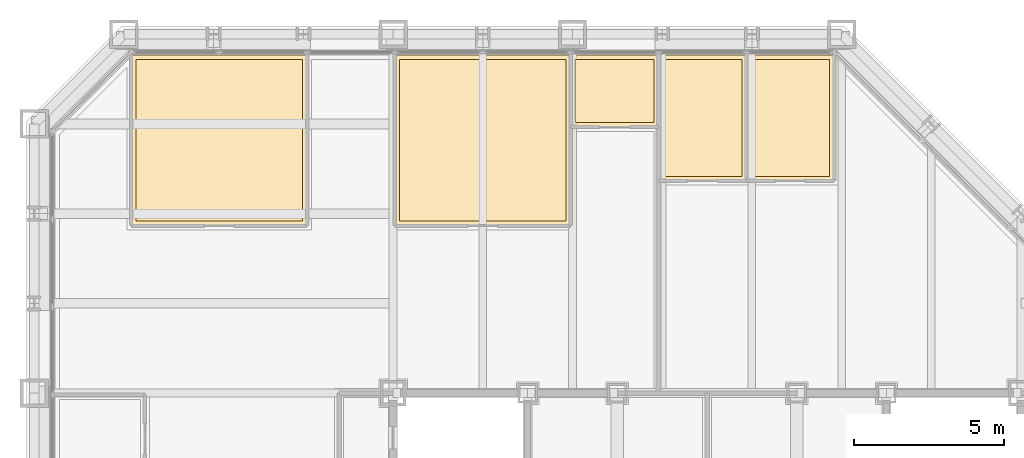
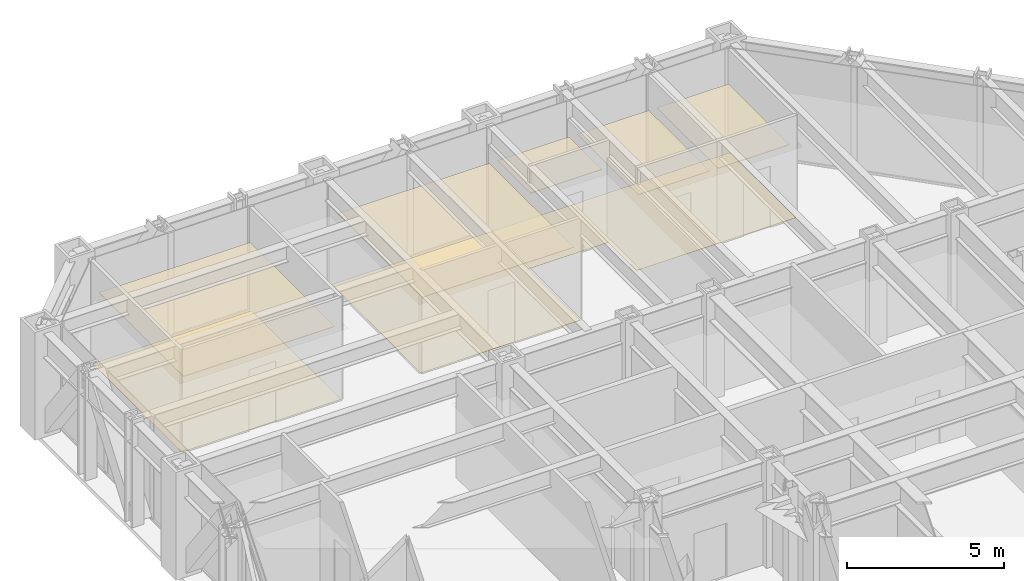
# One storey, part 16 of 16: 10 coverings.
"""IFC4 building model written with IfcOpenShell, lengths in metres."""

from ifc_helpers import new_model, si_unit, direction, frame, origin, place, context, subcontext, project, spatial, polyline, outline, extrude, material, layer, layer_set, type_object, element, save


model = new_model("IFC4")

# Units and contexts
model_context = context("Model", 3, precision=1e-05, world=origin(), true_north=direction((0.0, 1.0)))
body_context = subcontext(model_context, "Body", "Model", "MODEL_VIEW")
ifc_project = project(units=[si_unit("LENGTHUNIT", "METRE"), si_unit("AREAUNIT", "SQUARE_METRE"), si_unit("VOLUMEUNIT", "CUBIC_METRE"), si_unit("PLANEANGLEUNIT", "RADIAN"), si_unit("MASSUNIT", "GRAM", prefix="KILO")], contexts=[model_context])

# Site, building, storey
site_placement = place(None, origin())
site = spatial("IfcSite", under=ifc_project, at=site_placement, CompositionType="ELEMENT")
building_placement = place(site_placement, origin())
building = spatial("IfcBuilding", under=site, at=building_placement, Name="Chuquiago Exchange Tower", CompositionType="ELEMENT")
storey_placement = place(building_placement, frame((0.0, 0.0, 157.199951171875)))
storey = spatial("IfcBuildingStorey", under=building, at=storey_placement, Name="L34", CompositionType="ELEMENT", Elevation=157.199951171875)

# Coverings
ifc_material_1 = material(Name="Mineral fibre tile, 600 x 600, on pale metal grid", Category="mineral fibre")
ifc_layer_1 = layer(ifc_material_1, 0.02001953125)
ifc_layer_set_1 = layer_set([ifc_layer_1], Name="CL1 suspended tile ceiling 20")
covering_type_1 = type_object("IfcCoveringType", Name="CL1 suspended tile ceiling 20", PredefinedType="CEILING", material=ifc_layer_set_1)
covering_1_placement = place(storey_placement, frame((0.0, 0.0, 2.800048828125)))
element("IfcCovering", 1, at=covering_1_placement, inside=storey, type_object=covering_type_1, Name="Ceiling Research office", PredefinedType="CEILING", context=body_context, shape_type="SweptSolid", body=[
    extrude(outline(polyline([(8.974365234375, 44.14990234375), (8.974365234375, 38.75), (3.3984375, 38.75), (3.3984375, 44.14990234375), (8.974365234375, 44.14990234375)])), origin(), (0.0, 0.0, 1.0), 0.02001953125),
])
covering_2_placement = place(storey_placement, frame((0.0, 0.0, 2.800048828125)))
element("IfcCovering", 2, at=covering_2_placement, inside=storey, type_object=covering_type_1, Name="Ceiling Research office", PredefinedType="CEILING", context=body_context, shape_type="SweptSolid", body=[
    extrude(outline(polyline([(17.787841796875, 38.75), (12.212158203125, 38.75), (12.212158203125, 44.14990234375), (17.787841796875, 44.14990234375), (17.787841796875, 38.75)])), origin(), (0.0, 0.0, 1.0), 0.02001953125),
])
covering_3_placement = place(storey_placement, frame((0.0, 0.0, 2.800048828125)))
element("IfcCovering", 3, at=covering_3_placement, inside=storey, type_object=covering_type_1, Name="Ceiling Focus room", PredefinedType="CEILING", context=body_context, shape_type="SweptSolid", body=[
    extrude(outline(polyline([(20.7255859375, 42.050048828125), (18.087890625, 42.050048828125), (18.087890625, 44.14990234375), (20.7255859375, 44.14990234375), (20.7255859375, 42.050048828125)])), origin(), (0.0, 0.0, 1.0), 0.02001953125),
])
covering_4_placement = place(storey_placement, frame((0.0, 0.0, 2.800048828125)))
element("IfcCovering", 4, at=covering_4_placement, inside=storey, type_object=covering_type_1, Name="Ceiling Office", PredefinedType="CEILING", context=body_context, shape_type="SweptSolid", body=[
    extrude(outline(polyline([(23.66357421875, 40.25), (21.025634765625, 40.25), (21.025634765625, 44.14990234375), (23.66357421875, 44.14990234375), (23.66357421875, 40.25)])), origin(), (0.0, 0.0, 1.0), 0.02001953125),
])
covering_5_placement = place(storey_placement, frame((0.0, 0.0, 2.800048828125)))
element("IfcCovering", 5, at=covering_5_placement, inside=storey, type_object=covering_type_1, Name="Ceiling Office", PredefinedType="CEILING", context=body_context, shape_type="SweptSolid", body=[
    extrude(outline(polyline([(26.6015625, 40.25), (23.963623046875, 40.25), (23.963623046875, 44.14990234375), (26.6015625, 44.14990234375), (26.6015625, 40.25)])), origin(), (0.0, 0.0, 1.0), 0.02001953125),
])
ifc_material_2 = material(Name="Carpet tile, 500 x 500, on the floor slab", Category="textile")
ifc_layer_2 = layer(ifc_material_2, 0.010009765625)
ifc_layer_set_2 = layer_set([ifc_layer_2], Name="FL1 carpet tile 10")
covering_type_2 = type_object("IfcCoveringType", Name="FL1 carpet tile 10", PredefinedType="FLOORING", material=ifc_layer_set_2)
covering_6_placement = place(storey_placement, origin())
element("IfcCovering", 6, at=covering_6_placement, inside=storey, type_object=covering_type_2, Name="Floor finish Research office", PredefinedType="FLOORING", context=body_context, shape_type="SweptSolid", body=[
    extrude(outline(polyline([(3.289794921875, 44.300048828125), (9.124267578125, 44.300048828125), (9.124267578125, 38.60009765625), (3.24853515625, 38.60009765625), (3.24853515625, 44.258544921875), (3.289794921875, 44.300048828125)])), origin(), (0.0, 0.0, 1.0), 0.010009765625),
])
covering_7_placement = place(storey_placement, origin())
element("IfcCovering", 7, at=covering_7_placement, inside=storey, type_object=covering_type_2, Name="Floor finish Research office", PredefinedType="FLOORING", context=body_context, shape_type="SweptSolid", body=[
    extrude(outline(polyline([(17.93798828125, 44.300048828125), (17.93798828125, 38.60009765625), (12.06201171875, 38.60009765625), (12.06201171875, 44.300048828125), (17.93798828125, 44.300048828125)])), origin(), (0.0, 0.0, 1.0), 0.010009765625),
])
covering_8_placement = place(storey_placement, origin())
element("IfcCovering", 8, at=covering_8_placement, inside=storey, type_object=covering_type_2, Name="Floor finish Focus room", PredefinedType="FLOORING", context=body_context, shape_type="SweptSolid", body=[
    extrude(outline(polyline([(20.875732421875, 44.300048828125), (20.875732421875, 41.89990234375), (17.93798828125, 41.89990234375), (17.93798828125, 44.300048828125), (20.875732421875, 44.300048828125)])), origin(), (0.0, 0.0, 1.0), 0.010009765625),
])
covering_9_placement = place(storey_placement, origin())
element("IfcCovering", 9, at=covering_9_placement, inside=storey, type_object=covering_type_2, Name="Floor finish Office", PredefinedType="FLOORING", context=body_context, shape_type="SweptSolid", body=[
    extrude(outline(polyline([(23.813720703125, 44.300048828125), (23.813720703125, 40.10009765625), (20.875732421875, 40.10009765625), (20.875732421875, 44.300048828125), (23.813720703125, 44.300048828125)])), origin(), (0.0, 0.0, 1.0), 0.010009765625),
])
covering_10_placement = place(storey_placement, origin())
element("IfcCovering", 10, at=covering_10_placement, inside=storey, type_object=covering_type_2, Name="Floor finish Office", PredefinedType="FLOORING", context=body_context, shape_type="SweptSolid", body=[
    extrude(outline(polyline([(26.710205078125, 44.300048828125), (26.75146484375, 44.258544921875), (26.75146484375, 40.10009765625), (23.813720703125, 40.10009765625), (23.813720703125, 44.300048828125), (26.710205078125, 44.300048828125)])), origin(), (0.0, 0.0, 1.0), 0.010009765625),
])

save(model, "model.ifc")
